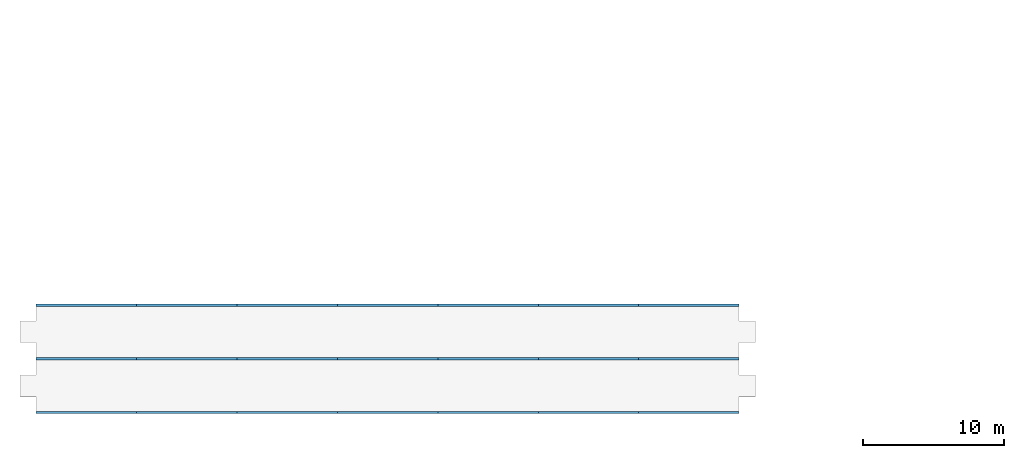
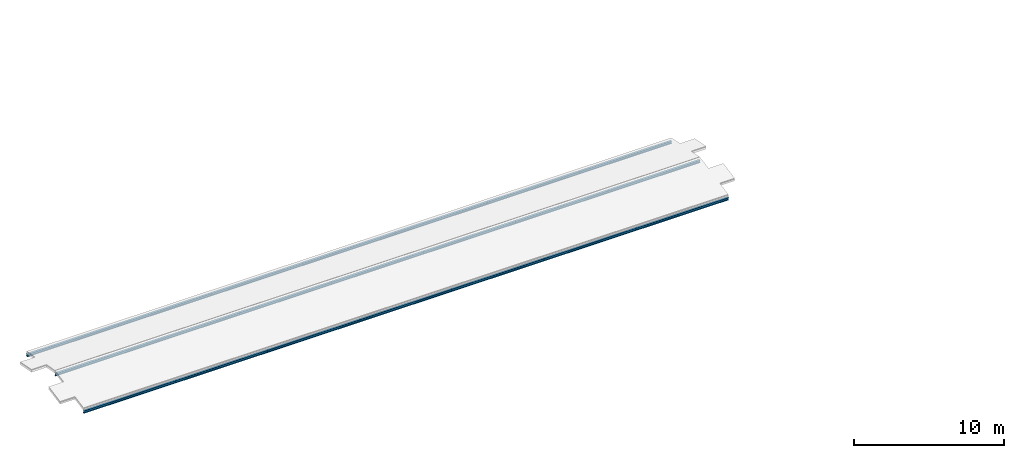
# One storey, part 2 of 19: 21 members.
"""IFC4 building model written with IfcOpenShell, lengths in metres."""

from ifc_helpers import new_model, si_unit, direction, frame, origin_with_axes, origin_2d_with_axis, place, context, subcontext, project, spatial, i_section, extrude, material, material_profile, profile_set, type_object, element, save


model = new_model("IFC4")

# Units and contexts
model_context = context("Model", 3, precision=1e-05, world=origin_with_axes(), true_north=direction((0.0, 1.0)))
body_context = subcontext(model_context, "Body", "Model", "MODEL_VIEW")
ifc_project = project(units=[si_unit("LENGTHUNIT", "METRE"), si_unit("AREAUNIT", "SQUARE_METRE"), si_unit("VOLUMEUNIT", "CUBIC_METRE"), si_unit("PLANEANGLEUNIT", "RADIAN"), si_unit("MASSUNIT", "GRAM", prefix="KILO"), si_unit("THERMODYNAMICTEMPERATUREUNIT", "KELVIN")], contexts=[model_context])

# Site, building, storey
site_placement = place(None, origin_with_axes())
site = spatial("IfcSite", under=ifc_project, at=site_placement, CompositionType="ELEMENT")
building_placement = place(site_placement, origin_with_axes())
building = spatial("IfcBuilding", under=site, at=building_placement, Name="Montbau Bow Law Courts", CompositionType="ELEMENT")
storey_placement = place(building_placement, frame((0.0, 0.0, 43.5), z_axis=(0.0, 0.0, 1.0), x_axis=(1.0, 0.0, 0.0)))
storey = spatial("IfcBuildingStorey", under=building, at=storey_placement, Name="L09", CompositionType="ELEMENT", Elevation=43.5)

# Members
ifc_material = material(Name="Steel CSA G40.21 Grade 350WT (350 MPa)", Category="steel")
ifc_material_profile = material_profile(ifc_material, i_section(OverallWidth=0.165, OverallDepth=0.201, WebThickness=0.0062, FlangeThickness=0.0102, at=origin_2d_with_axis()), Name="W200X36", Category="Main", Priority=0)
ifc_profile_set = profile_set([ifc_material_profile], Name="Steel CSA G40.21 Grade 350WT (350 MPa)")
member_type = type_object("IfcMemberType", Name="M-PUR-02", PredefinedType="PURLIN", material=ifc_profile_set)
for number, where, z_axis, x_axis, name in (
    (1, (55.2, 46.6, 43.234), (1.0, 0.0, 0.0), (0.0, 1.0, 0.0), "Barrel vault roof truss purlin V3-101"),
    (2, (55.2, 50.4, 43.975), (1.0, 0.0, 0.0), (0.0, 1.0, 0.0), "Barrel vault roof truss purlin V3-102"),
    (3, (55.2, 54.2, 43.234), (1.0, 0.0, 0.0), (0.0, 1.0, 0.0), "Barrel vault roof truss purlin V3-103"),
):
    element("IfcMember", number, at=place(None, frame(where, z_axis=z_axis, x_axis=x_axis)), inside=storey, type_object=member_type, Name=name, PredefinedType="PURLIN", context=body_context, shape_type="SweptSolid", body=[
        extrude(i_section(OverallWidth=0.165, OverallDepth=0.201, WebThickness=0.0062, FlangeThickness=0.0102, at=origin_2d_with_axis()), origin_with_axes(), (0.0, 0.0, 1.0), 7.114),
    ])
for number, where, z_axis, x_axis, name in (
    (4, (62.314, 46.6, 43.234), (1.0, 0.0, 0.0), (0.0, 1.0, 0.0), "Barrel vault roof truss purlin V3-108"),
    (5, (62.314, 50.4, 43.975), (1.0, 0.0, 0.0), (0.0, 1.0, 0.0), "Barrel vault roof truss purlin V3-109"),
    (6, (62.314, 54.2, 43.234), (1.0, 0.0, 0.0), (0.0, 1.0, 0.0), "Barrel vault roof truss purlin V3-110"),
):
    element("IfcMember", number, at=place(None, frame(where, z_axis=z_axis, x_axis=x_axis)), inside=storey, type_object=member_type, Name=name, PredefinedType="PURLIN", context=body_context, shape_type="SweptSolid", body=[
        extrude(i_section(OverallWidth=0.165, OverallDepth=0.201, WebThickness=0.0062, FlangeThickness=0.0102, at=origin_2d_with_axis()), origin_with_axes(), (0.0, 0.0, 1.0), 7.115),
    ])
for number, where, z_axis, x_axis, name in (
    (7, (69.429, 46.6, 43.234), (1.0, 0.0, 0.0), (0.0, 1.0, 0.0), "Barrel vault roof truss purlin V3-115"),
    (8, (69.429, 50.4, 43.975), (1.0, 0.0, 0.0), (0.0, 1.0, 0.0), "Barrel vault roof truss purlin V3-116"),
    (9, (69.429, 54.2, 43.234), (1.0, 0.0, 0.0), (0.0, 1.0, 0.0), "Barrel vault roof truss purlin V3-117"),
    (10, (76.543, 46.6, 43.234), (1.0, 0.0, 0.0), (0.0, 1.0, 0.0), "Barrel vault roof truss purlin V3-122"),
    (11, (76.543, 50.4, 43.975), (1.0, 0.0, 0.0), (0.0, 1.0, 0.0), "Barrel vault roof truss purlin V3-123"),
    (12, (76.543, 54.2, 43.234), (1.0, 0.0, 0.0), (0.0, 1.0, 0.0), "Barrel vault roof truss purlin V3-124"),
    (13, (83.657, 46.6, 43.234), (1.0, 0.0, 0.0), (0.0, 1.0, 0.0), "Barrel vault roof truss purlin V3-129"),
    (14, (83.657, 50.4, 43.975), (1.0, 0.0, 0.0), (0.0, 1.0, 0.0), "Barrel vault roof truss purlin V3-130"),
    (15, (83.657, 54.2, 43.234), (1.0, 0.0, 0.0), (0.0, 1.0, 0.0), "Barrel vault roof truss purlin V3-131"),
):
    element("IfcMember", number, at=place(None, frame(where, z_axis=z_axis, x_axis=x_axis)), inside=storey, type_object=member_type, Name=name, PredefinedType="PURLIN", context=body_context, shape_type="SweptSolid", body=[
        extrude(i_section(OverallWidth=0.165, OverallDepth=0.201, WebThickness=0.0062, FlangeThickness=0.0102, at=origin_2d_with_axis()), origin_with_axes(), (0.0, 0.0, 1.0), 7.114),
    ])
for number, where, z_axis, x_axis, name in (
    (16, (90.771, 46.6, 43.234), (1.0, 0.0, 0.0), (0.0, 1.0, 0.0), "Barrel vault roof truss purlin V3-136"),
    (17, (90.771, 50.4, 43.975), (1.0, 0.0, 0.0), (0.0, 1.0, 0.0), "Barrel vault roof truss purlin V3-137"),
    (18, (90.771, 54.2, 43.234), (1.0, 0.0, 0.0), (0.0, 1.0, 0.0), "Barrel vault roof truss purlin V3-138"),
):
    element("IfcMember", number, at=place(None, frame(where, z_axis=z_axis, x_axis=x_axis)), inside=storey, type_object=member_type, Name=name, PredefinedType="PURLIN", context=body_context, shape_type="SweptSolid", body=[
        extrude(i_section(OverallWidth=0.165, OverallDepth=0.201, WebThickness=0.0062, FlangeThickness=0.0102, at=origin_2d_with_axis()), origin_with_axes(), (0.0, 0.0, 1.0), 7.115),
    ])
for number, where, z_axis, x_axis, name in (
    (19, (97.886, 46.6, 43.234), (1.0, 0.0, 0.0), (0.0, 1.0, 0.0), "Barrel vault roof truss purlin V3-143"),
    (20, (97.886, 50.4, 43.975), (1.0, 0.0, 0.0), (0.0, 1.0, 0.0), "Barrel vault roof truss purlin V3-144"),
    (21, (97.886, 54.2, 43.234), (1.0, 0.0, 0.0), (0.0, 1.0, 0.0), "Barrel vault roof truss purlin V3-145"),
):
    element("IfcMember", number, at=place(None, frame(where, z_axis=z_axis, x_axis=x_axis)), inside=storey, type_object=member_type, Name=name, PredefinedType="PURLIN", context=body_context, shape_type="SweptSolid", body=[
        extrude(i_section(OverallWidth=0.165, OverallDepth=0.201, WebThickness=0.0062, FlangeThickness=0.0102, at=origin_2d_with_axis()), origin_with_axes(), (0.0, 0.0, 1.0), 7.114),
    ])

save(model, "model.ifc")
